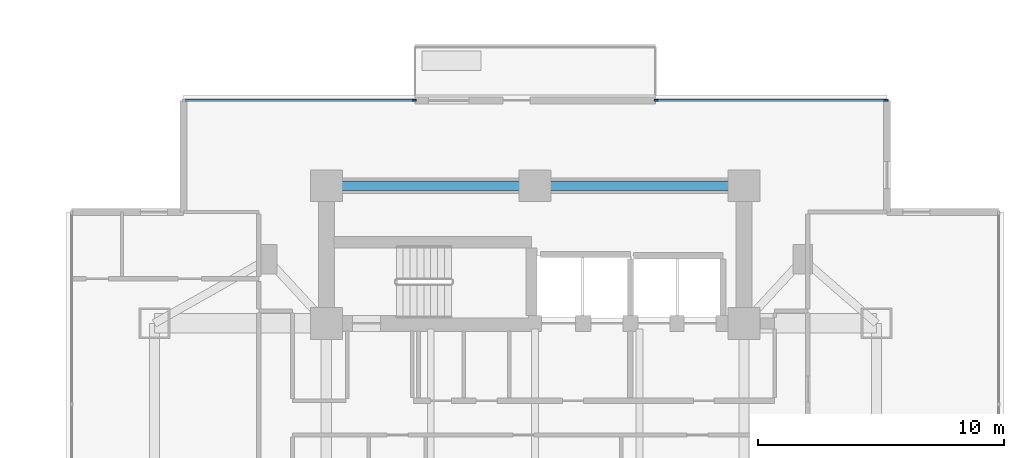
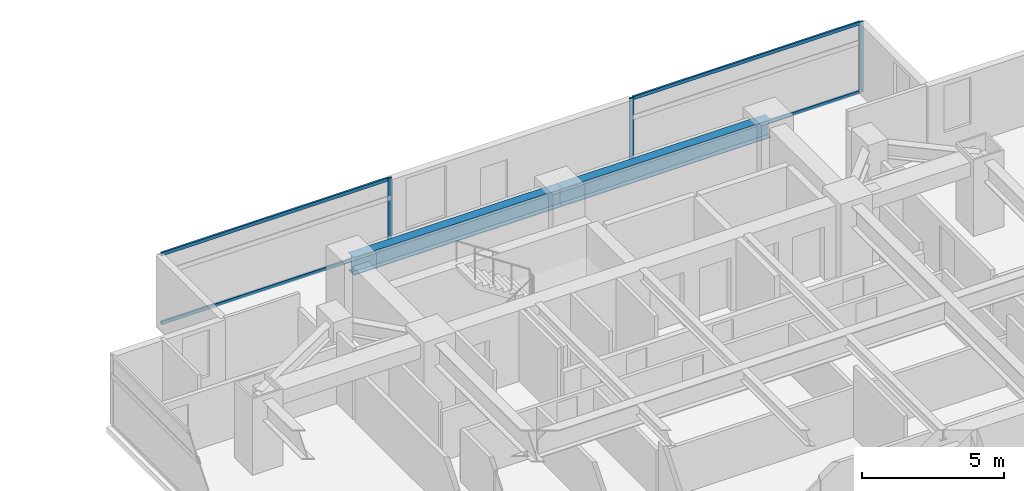
# One storey, part 11 of 24: 7 members, 2 beams, 2 elements without a shape of their own.
"""IFC4 building model written with IfcOpenShell, lengths in metres."""

from ifc_helpers import new_model, si_unit, direction, frame, origin, origin_2d, place, context, subcontext, project, spatial, rectangle, i_section, extrude, material, material_profile, profile_set, type_object, element, aggregate, save


model = new_model("IFC4")

# Units and contexts
model_context = context("Model", 3, precision=1e-05, world=origin(), true_north=direction((0.0, 1.0)))
body_context = subcontext(model_context, "Body", "Model", "MODEL_VIEW")
ifc_project = project(units=[si_unit("LENGTHUNIT", "METRE"), si_unit("AREAUNIT", "SQUARE_METRE"), si_unit("VOLUMEUNIT", "CUBIC_METRE"), si_unit("PLANEANGLEUNIT", "RADIAN"), si_unit("MASSUNIT", "GRAM", prefix="KILO")], contexts=[model_context])

# Site, building, storey
site_placement = place(None, origin())
site = spatial("IfcSite", under=ifc_project, at=site_placement, CompositionType="ELEMENT")
building_placement = place(site_placement, origin())
building = spatial("IfcBuilding", under=site, at=building_placement, Name="Mirazonda Arch Towers", CompositionType="ELEMENT")
storey_placement = place(building_placement, frame((0.0, 0.0, 71.89990234375)))
storey = spatial("IfcBuildingStorey", under=building, at=storey_placement, Name="L20", CompositionType="ELEMENT", Elevation=71.89990234375)

# Beams
ifc_material_1 = material(Name="Steel ASTM A992 Grade 50", Category="steel")
ifc_material_profile_1 = material_profile(ifc_material_1, i_section(OverallWidth=0.381103515625, OverallDepth=0.77294921875, WebThickness=0.0166015625, FlangeThickness=0.027099609375, at=origin_2d()), Name="W30X173")
ifc_profile_set_1 = profile_set([ifc_material_profile_1], Name="Steel ASTM A992 Grade 50")
beam_type = type_object("IfcBeamType", Name="BM-INT-W30X173", PredefinedType="USERDEFINED", material=ifc_profile_set_1)
for number, where, z_axis, x_axis, name in (
    (1, (68.0, 40.800048828125, 2.673583984375), (1.0, 0.0, 0.0), (0.0, 1.0, 0.0), "L20 Floor Beam BM-T2-L20-CN1"),
    (2, (76.5, 40.800048828125, 2.673583984375), (1.0, 0.0, 0.0), (0.0, 1.0, 0.0), "L20 Floor Beam BM-T2-L20-CN2"),
):
    element("IfcBeam", number, at=place(storey_placement, frame(where, z_axis=z_axis, x_axis=x_axis)), inside=storey, type_object=beam_type, Name=name, ObjectType="GIRDER", PredefinedType="USERDEFINED", context=body_context, shape_type="SweptSolid", body=[
        extrude(i_section(OverallWidth=0.381103515625, OverallDepth=0.77294921875, WebThickness=0.0166015625, FlangeThickness=0.027099609375, at=origin_2d()), origin(), (0.0, 0.0, 1.0), 8.5),
    ])

# Curtain wall, member
ifc_material_2 = material(Name="Anodised Aluminium and Low-E Glass", Category="aluminium")
curtain_wall_type = type_object("IfcCurtainWallType", Name="CW-HTL-UNIT", PredefinedType="NOTDEFINED", material=ifc_material_2)
curtain_wall_1_placement = place(storey_placement, origin())
curtain_wall_1 = element("IfcCurtainWall", 3, at=curtain_wall_1_placement, inside=storey, type_object=curtain_wall_type, Name="L20 Curtain Wall CW-L20-T2-NA", PredefinedType="NOTDEFINED")
ifc_material_3 = material(Name="Anodised Aluminium Alloy", Category="aluminium")
ifc_material_profile_2 = material_profile(ifc_material_3, rectangle(XDim=0.074951171875, YDim=0.1650390625, at=origin_2d()), Name="ALU-MULL-75x165")
ifc_profile_set_2 = profile_set([ifc_material_profile_2], Name="Anodised Aluminium Alloy")
member_type_1 = type_object("IfcMemberType", Name="MULL-CW-HTL-UNIT", PredefinedType="MULLION", material=ifc_profile_set_2)
member_1_placement = place(storey_placement, frame((71.572509765625, 44.27587890625, 0.0), z_axis=(0.0, 0.0, 1.0), x_axis=(0.0, 1.0, 0.0)))
member_1 = element("IfcMember", 4, at=member_1_placement, type_object=member_type_1, Name="CW-112 mullion 2", PredefinedType="MULLION", context=body_context, shape_type="SweptSolid", body=[
    extrude(rectangle(XDim=0.074951171875, YDim=0.1650390625, at=origin_2d()), origin(), (0.0, 0.0, 1.0), 3.0400390625),
])

# Curtain wall, members
curtain_wall_2_placement = place(storey_placement, origin())
curtain_wall_2 = element("IfcCurtainWall", 5, at=curtain_wall_2_placement, inside=storey, type_object=curtain_wall_type, Name="L20 Curtain Wall CW-L20-T2-NB", PredefinedType="NOTDEFINED")
member_2_placement = place(storey_placement, frame((81.427490234375, 44.27587890625, 0.0), z_axis=(0.0, 0.0, 1.0), x_axis=(0.0, 1.0, 0.0)))
member_2 = element("IfcMember", 6, at=member_2_placement, type_object=member_type_1, Name="CW-112 mullion 1", PredefinedType="MULLION", context=body_context, shape_type="SweptSolid", body=[
    extrude(rectangle(XDim=0.074951171875, YDim=0.1650390625, at=origin_2d()), origin(), (0.0, 0.0, 1.0), 3.0400390625),
])
member_3_placement = place(storey_placement, frame((90.784423828125, 44.27587890625, 0.0), z_axis=(0.0, 0.0, 1.0), x_axis=(0.0, 1.0, 0.0)))
member_3 = element("IfcMember", 7, at=member_3_placement, type_object=member_type_1, Name="CW-112 mullion 2", PredefinedType="MULLION", context=body_context, shape_type="SweptSolid", body=[
    extrude(rectangle(XDim=0.074951171875, YDim=0.1650390625, at=origin_2d()), origin(), (0.0, 0.0, 1.0), 3.0400390625),
])

# Member
ifc_material_profile_3 = material_profile(ifc_material_3, rectangle(XDim=0.074951171875, YDim=0.14501953125, at=origin_2d()), Name="ALU-TRAN-75x145")
ifc_profile_set_3 = profile_set([ifc_material_profile_3], Name="Anodised Aluminium Alloy")
member_type_2 = type_object("IfcMemberType", Name="TRAN-CW-HTL-UNIT", PredefinedType="USERDEFINED", material=ifc_profile_set_3)
member_4_placement = place(storey_placement, frame((62.2529296875, 44.27587890625, 0.03759765625), z_axis=(1.0, 0.0, 0.0), x_axis=(0.0, 1.0, 0.0)))
member_4 = element("IfcMember", 8, at=member_4_placement, type_object=member_type_2, Name="CW-112 transom 1.1", ObjectType="TRANSOM", PredefinedType="USERDEFINED", context=body_context, shape_type="SweptSolid", body=[
    extrude(rectangle(XDim=0.074951171875, YDim=0.14501953125, at=origin_2d()), origin(), (0.0, 0.0, 1.0), 9.281982421875),
])

member_5_placement = place(storey_placement, frame((62.2529296875, 44.27587890625, 3.002685546875), z_axis=(1.0, 0.0, 0.0), x_axis=(0.0, 1.0, 0.0)))
member_5 = element("IfcMember", 9, at=member_5_placement, type_object=member_type_2, Name="CW-112 transom 1.2", ObjectType="TRANSOM", PredefinedType="USERDEFINED", context=body_context, shape_type="SweptSolid", body=[
    extrude(rectangle(XDim=0.074951171875, YDim=0.14501953125, at=origin_2d()), origin(), (0.0, 0.0, 1.0), 9.281982421875),
])

aggregate(curtain_wall_1, [member_1, member_4, member_5])

member_6_placement = place(storey_placement, frame((81.465087890625, 44.27587890625, 0.03759765625), z_axis=(1.0, 0.0, 0.0), x_axis=(0.0, 1.0, 0.0)))
member_6 = element("IfcMember", 10, at=member_6_placement, type_object=member_type_2, Name="CW-112 transom 1.1", ObjectType="TRANSOM", PredefinedType="USERDEFINED", context=body_context, shape_type="SweptSolid", body=[
    extrude(rectangle(XDim=0.074951171875, YDim=0.14501953125, at=origin_2d()), origin(), (0.0, 0.0, 1.0), 9.281982421875),
])

member_7_placement = place(storey_placement, frame((81.465087890625, 44.27587890625, 3.002685546875), z_axis=(1.0, 0.0, 0.0), x_axis=(0.0, 1.0, 0.0)))
member_7 = element("IfcMember", 11, at=member_7_placement, type_object=member_type_2, Name="CW-112 transom 1.2", ObjectType="TRANSOM", PredefinedType="USERDEFINED", context=body_context, shape_type="SweptSolid", body=[
    extrude(rectangle(XDim=0.074951171875, YDim=0.14501953125, at=origin_2d()), origin(), (0.0, 0.0, 1.0), 9.281982421875),
])

aggregate(curtain_wall_2, [member_2, member_3, member_6, member_7])

save(model, "model.ifc")
